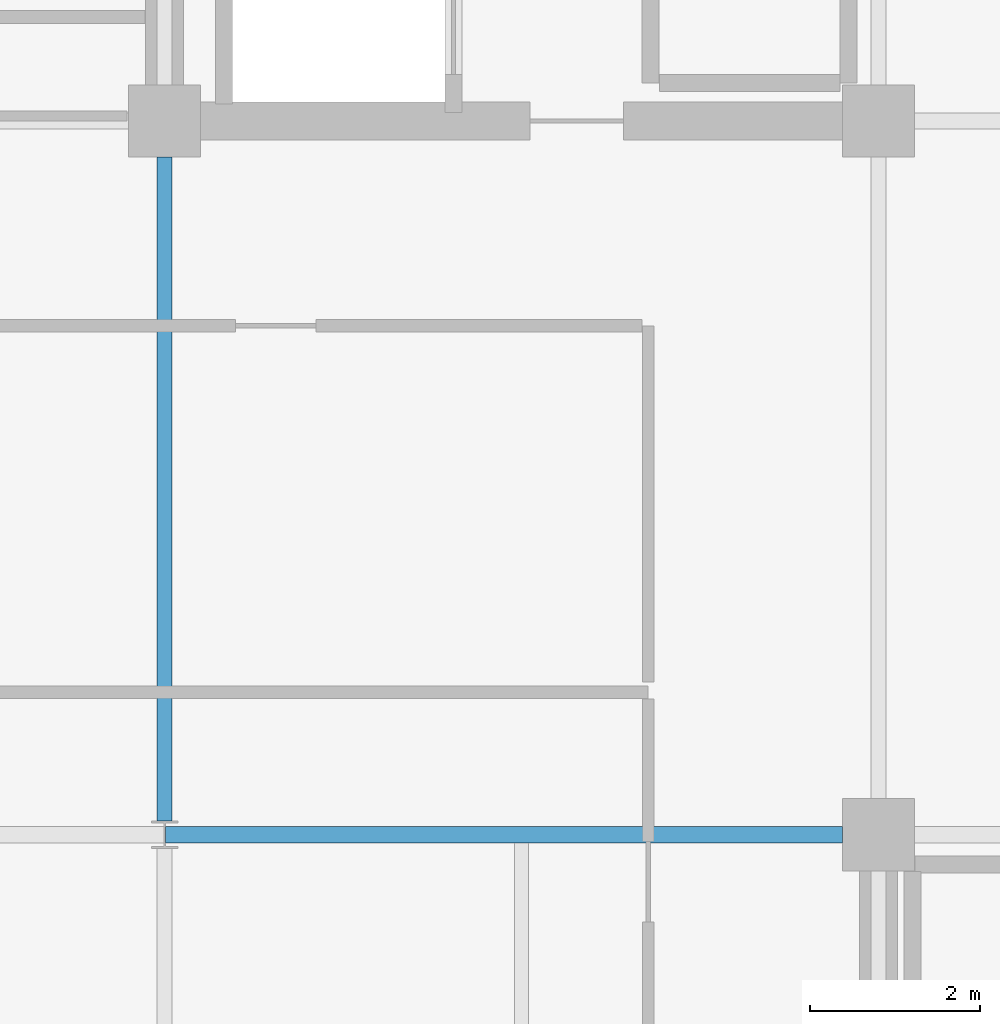
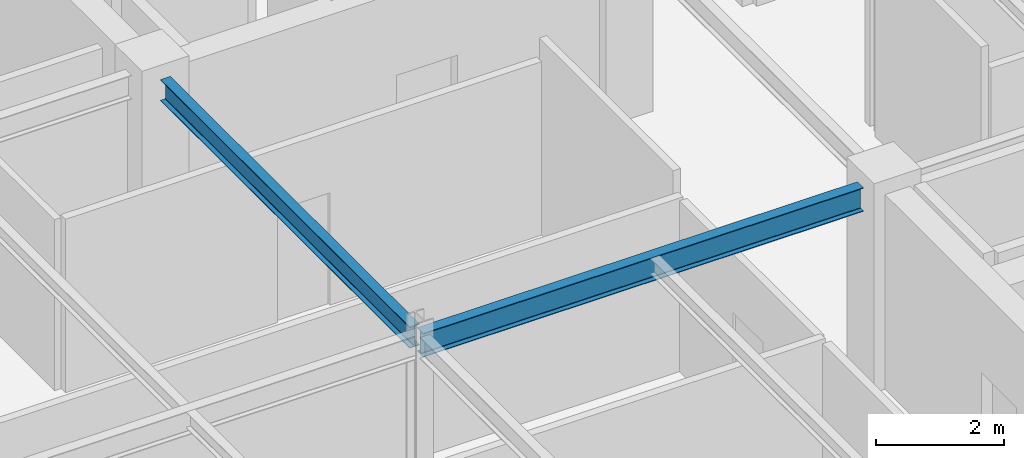
# One storey, part 10 of 24: 2 beams.
"""IFC4 building model written with IfcOpenShell, lengths in metres."""

import ifcopenshell
import ifcopenshell.guid

model = None  # the IFC model being written
_history = None  # IfcOwnerHistory: only IFC2X3 demands one
_inside = {}  # id of a spatial element -> (the spatial element, [elements in it])
_under = {}  # id of a project, library or spatial element -> (it, [spatial elements below it])
_declared = {}  # id of a project -> (the project, [libraries it declares])
_typed = {}  # id of a type object -> (the type object, [elements of that type])
_made_of = {}  # id of a material, layer set ... -> (it, [elements and type objects made of it])


def new_model(schema):
    """Start an empty IFC model of exactly this schema.

    Asked for "IFC4X3", IfcOpenShell would pick the latest addendum, in which some entities
    have other attributes; the version numbers below select the first issue.
    IFC2X3 requires an IfcOwnerHistory on every rooted entity: one is made here for all.
    """
    global model, _history
    if schema == "IFC4X3":
        model = ifcopenshell.file(schema_version=(4, 3, 0, 0))
    else:
        model = ifcopenshell.file(schema=schema)
    _inside.clear()
    _under.clear()
    _declared.clear()
    _typed.clear()
    _made_of.clear()
    _history = None
    if model.schema == "IFC2X3":
        org = make("IfcOrganization", Name="unknown")
        user = make(
            "IfcPersonAndOrganization",
            ThePerson=make("IfcPerson", FamilyName="unknown"),
            TheOrganization=org,
        )
        app = make(
            "IfcApplication",
            ApplicationDeveloper=org,
            Version="unknown",
            ApplicationFullName="unknown",
            ApplicationIdentifier="unknown",
        )
        _history = make(
            "IfcOwnerHistory",
            OwningUser=user,
            OwningApplication=app,
            ChangeAction="ADDED",
            CreationDate=0,
        )
    return model


def make(cls, **values):
    """One entity of the class cls with the attributes given. An attribute that is None is left unset."""
    return model.create_entity(
        cls, **{name: value for name, value in values.items() if value is not None}
    )


def rooted(cls, **values):
    """An entity with a GlobalId (a new one), such as an element, a storey or a relation."""
    return make(cls, GlobalId=ifcopenshell.guid.new(), OwnerHistory=_history, **values)


def si_unit(unit_type, name, prefix=None):
    """IfcSIUnit, for example si_unit("LENGTHUNIT", "METRE", prefix="MILLI")."""
    return make("IfcSIUnit", UnitType=unit_type, Prefix=prefix, Name=name)


def assignment(units):
    """IfcUnitAssignment: the units of a project."""
    return None if units is None else make("IfcUnitAssignment", Units=units)


def point(xyz):
    """IfcCartesianPoint."""
    return None if xyz is None else make("IfcCartesianPoint", Coordinates=xyz)


def direction(xyz):
    """IfcDirection."""
    return None if xyz is None else make("IfcDirection", DirectionRatios=xyz)


def frame(location, z_axis=None, x_axis=None):
    """IfcAxis2Placement3D, a coordinate frame: its origin and axes. An axis left out is left unset."""
    return make(
        "IfcAxis2Placement3D",
        Location=point(location),
        Axis=direction(z_axis),
        RefDirection=direction(x_axis),
    )


def frame_2d(location, x_axis=None):
    """IfcAxis2Placement2D, a coordinate frame in the plane: its origin and x axis."""
    return make(
        "IfcAxis2Placement2D", Location=point(location), RefDirection=direction(x_axis)
    )


def origin():
    """The frame at (0, 0, 0) with its axes left unset."""
    return frame((0.0, 0.0, 0.0))


def origin_2d():
    """The frame at (0, 0) in the plane with its x axis left unset."""
    return frame_2d((0.0, 0.0))


def place(relative_to, where):
    """IfcLocalPlacement: puts the frame where relative to a parent placement (None: the world)."""
    return make(
        "IfcLocalPlacement", PlacementRelTo=relative_to, RelativePlacement=where
    )


def context(
    kind, dimensions, precision=None, world=None, true_north=None, identifier=None
):
    """IfcGeometricRepresentationContext, for example the 3D "Model" context."""
    return make(
        "IfcGeometricRepresentationContext",
        ContextIdentifier=identifier,
        ContextType=kind,
        CoordinateSpaceDimension=dimensions,
        Precision=precision,
        WorldCoordinateSystem=world,
        TrueNorth=true_north,
    )


def subcontext(parent, identifier, kind, view, scale=None):
    """IfcGeometricRepresentationSubContext, for example "Body" below "Model"."""
    return make(
        "IfcGeometricRepresentationSubContext",
        ContextIdentifier=identifier,
        ContextType=kind,
        ParentContext=parent,
        TargetScale=scale,
        TargetView=view,
    )


def project(units=None, contexts=None):
    """IfcProject with its units and contexts."""
    return rooted(
        "IfcProject",
        Name="project",
        RepresentationContexts=contexts,
        UnitsInContext=assignment(units),
    )


def spatial(cls, under=None, at=None, **own):
    """A site, building, storey or space (cls), placed at a placement, below another one or the project."""
    s = rooted(cls, ObjectPlacement=at, **own)
    if under is not None:
        _under.setdefault(under.id(), (under, []))[1].append(s)
    return s


def profile(cls, at=None, kind="AREA", **sizes):
    """A parametric profile (cls). Its sizes go by their IFC names, for example OverallWidth=200.0."""
    return make(cls, ProfileType=kind, Position=at, **sizes)


def i_section(**sizes):
    """IfcIShapeProfileDef."""
    return profile("IfcIShapeProfileDef", **sizes)


def extrude(swept, where, along, depth):
    """IfcExtrudedAreaSolid: the profile swept, set in the frame where, extruded along a direction by depth."""
    return make(
        "IfcExtrudedAreaSolid",
        SweptArea=swept,
        Position=where,
        ExtrudedDirection=direction(along),
        Depth=depth,
    )


def shape(context_of_items, identifier, shape_type, items):
    """IfcShapeRepresentation: the items that make up one representation, for example the "Body"."""
    return make(
        "IfcShapeRepresentation",
        ContextOfItems=context_of_items,
        RepresentationIdentifier=identifier,
        RepresentationType=shape_type,
        Items=items,
    )


def material(Name=None, Category=None):
    """IfcMaterial."""
    return make("IfcMaterial", Name=Name, Category=Category)


def material_profile(
    of_material, cross_section, Name=None, Category=None, Priority=None
):
    """IfcMaterialProfile: a cross section and its material."""
    return make(
        "IfcMaterialProfile",
        Name=Name,
        Material=of_material,
        Profile=cross_section,
        Priority=Priority,
        Category=Category,
    )


def profile_set(profiles, Name=None, composite=None):
    """IfcMaterialProfileSet."""
    return make(
        "IfcMaterialProfileSet",
        Name=Name,
        MaterialProfiles=profiles,
        CompositeProfile=composite,
    )


def made_of(thing, what):
    """Note that an element or type object is made of a material, layer set ...; save() writes the relation."""
    if what is not None:
        _made_of.setdefault(what.id(), (what, []))[1].append(thing)
    return thing


def type_object(cls, material=None, **own):
    """A type object (cls), such as IfcWallType, which elements share."""
    return made_of(rooted(cls, **own), material)


def element(
    cls,
    number,
    at=None,
    inside=None,
    cuts=None,
    type_object=None,
    material=None,
    context=None,
    identifier="Body",
    shape_type=None,
    held_by="IfcProductDefinitionShape",
    body=None,
    shapes=None,
    **own,
):
    """One element of the class cls, such as IfcWall. Its Tag is "e" and its number.

    at: its placement. inside: the storey or other place that contains it. cuts: it is an
    opening in that element (IfcRelVoidsElement). A single representation is given by context,
    identifier, shape_type and body (its items); several are given by shapes. held_by: the class
    of the entity that holds the representations. save() writes the other relations.
    """
    e = rooted(cls, Tag="e%d" % number, ObjectPlacement=at, **own)
    if body is not None:
        shapes = [shape(context, identifier, shape_type, body)]
    if shapes is not None:
        e.Representation = make(held_by, Representations=shapes)
    if inside is not None:
        _inside.setdefault(inside.id(), (inside, []))[1].append(e)
    if cuts is not None:
        rooted(
            "IfcRelVoidsElement", RelatingBuildingElement=cuts, RelatedOpeningElement=e
        )
    if type_object is not None:
        _typed.setdefault(type_object.id(), (type_object, []))[1].append(e)
    return made_of(e, material)


def aggregate(whole, parts):
    """IfcRelAggregates: a whole, such as a stair, and the parts it consists of."""
    return rooted("IfcRelAggregates", RelatingObject=whole, RelatedObjects=parts)


def save(model, path):
    """Write the relations noted so far, then the file.

    IfcRelAggregates (storeys below a building ...), IfcRelContainedInSpatialStructure (elements
    in a storey), IfcRelDefinesByType, IfcRelAssociatesMaterial and IfcRelDeclares: one each for
    every whole, place, type object, material and project.
    """
    for whole, parts in _under.values():
        aggregate(whole, parts)
    for where, things in _inside.values():
        rooted(
            "IfcRelContainedInSpatialStructure",
            RelatedElements=things,
            RelatingStructure=where,
        )
    for kind, things in _typed.values():
        rooted("IfcRelDefinesByType", RelatedObjects=things, RelatingType=kind)
    for what, things in _made_of.values():
        rooted("IfcRelAssociatesMaterial", RelatedObjects=things, RelatingMaterial=what)
    for by, libraries in _declared.values():
        rooted("IfcRelDeclares", RelatingContext=by, RelatedDefinitions=libraries)
    model.write(path)


model = new_model("IFC4")

# Units and contexts
model_context = context("Model", 3, precision=1e-05, world=origin(), true_north=direction((0.0, 1.0)))
body_context = subcontext(model_context, "Body", "Model", "MODEL_VIEW")
ifc_project = project(units=[si_unit("LENGTHUNIT", "METRE"), si_unit("AREAUNIT", "SQUARE_METRE"), si_unit("VOLUMEUNIT", "CUBIC_METRE"), si_unit("PLANEANGLEUNIT", "RADIAN"), si_unit("MASSUNIT", "GRAM", prefix="KILO")], contexts=[model_context])

# Site, building, storey
site_placement = place(None, origin())
site = spatial("IfcSite", under=ifc_project, at=site_placement, CompositionType="ELEMENT")
building_placement = place(site_placement, origin())
building = spatial("IfcBuilding", under=site, at=building_placement, Name="Nerrivon Quay Data Exchange", CompositionType="ELEMENT")
storey_placement = place(building_placement, frame((0.0, 0.0, 294.199951171875)))
storey = spatial("IfcBuildingStorey", under=building, at=storey_placement, Name="L70", CompositionType="ELEMENT", Elevation=294.199951171875)

# Beams
ifc_material = material(Name="Steel Grade 350", Category="steel")
ifc_material_profile_1 = material_profile(ifc_material, i_section(OverallWidth=0.18994140625, OverallDepth=0.4541015625, WebThickness=0.008544921875, FlangeThickness=0.0126953125, FilletRadius=0.011474609375, at=origin_2d()), Name="460UB67.1")
ifc_profile_set_1 = profile_set([ifc_material_profile_1], Name="Steel Grade 350")
beam_type_1 = type_object("IfcBeamType", Name="BM-G6-460UB67", PredefinedType="BEAM", material=ifc_profile_set_1)
beam_1_placement = place(storey_placement, frame((8.40771484375, 16.800048828125, 3.498046875), z_axis=(1.0, 0.0, 0.0), x_axis=(0.0, 1.0, 0.0)))
element("IfcBeam", 1, at=beam_1_placement, inside=storey, type_object=beam_type_1, Name="L70 EW Girder Y=16.8 (8.4..16.8)", PredefinedType="BEAM", context=body_context, shape_type="SweptSolid", body=[
    extrude(i_section(OverallWidth=0.18994140625, OverallDepth=0.4541015625, WebThickness=0.008544921875, FlangeThickness=0.0126953125, FilletRadius=0.011474609375, at=origin_2d()), origin(), (0.0, 0.0, 1.0), 7.96728515625),
])
ifc_material_profile_2 = material_profile(ifc_material, i_section(OverallWidth=0.177978515625, OverallDepth=0.406005859375, WebThickness=0.0078125, FlangeThickness=0.0126953125, FilletRadius=0.011474609375, at=origin_2d()), Name="410UB59.7")
ifc_profile_set_2 = profile_set([ifc_material_profile_2], Name="Steel Grade 350")
beam_type_2 = type_object("IfcBeamType", Name="BM-J1-410UB60", PredefinedType="JOIST", material=ifc_profile_set_2)
beam_2_placement = place(storey_placement, frame((8.39990234375, 16.96337890625, 3.52197265625), z_axis=(0.0, 1.0, 0.0), x_axis=(-1.0, 0.0, 0.0)))
element("IfcBeam", 2, at=beam_2_placement, inside=storey, type_object=beam_type_2, Name="L70 NS Girder X=8.4 (16.8..25.2)", PredefinedType="JOIST", context=body_context, shape_type="SweptSolid", body=[
    extrude(i_section(OverallWidth=0.177978515625, OverallDepth=0.406005859375, WebThickness=0.0078125, FlangeThickness=0.0126953125, FilletRadius=0.011474609375, at=origin_2d()), origin(), (0.0, 0.0, 1.0), 7.8115234375),
])

save(model, "model.ifc")
